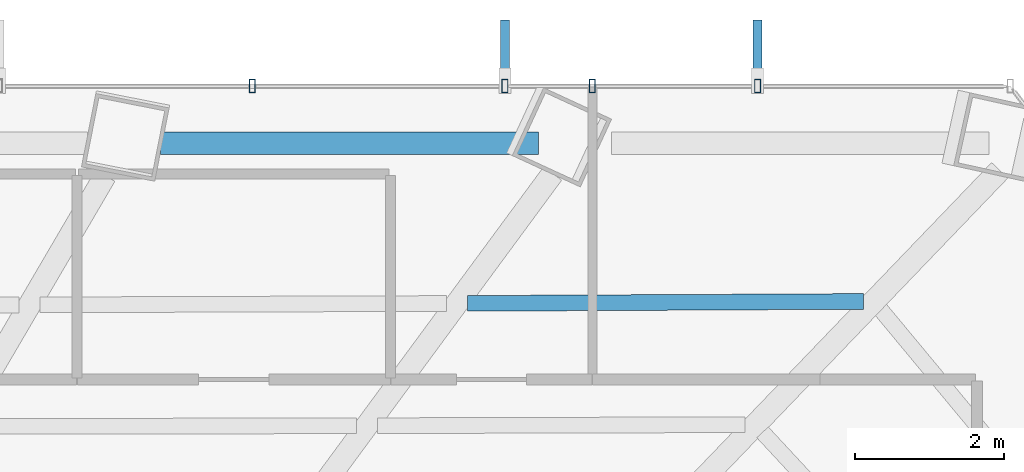
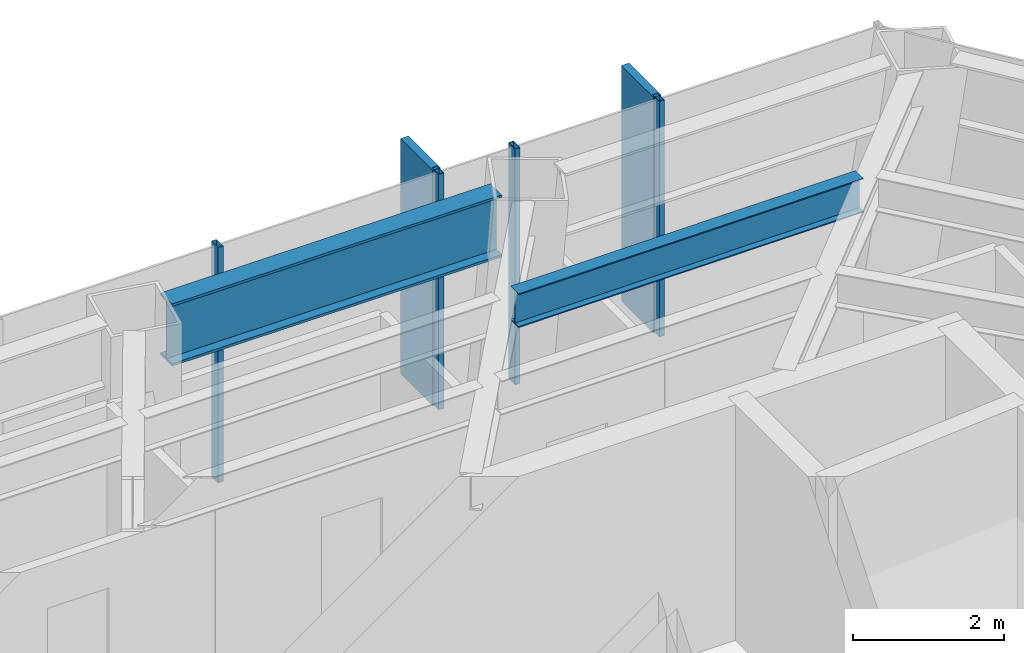
# One storey, part 16 of 26: 6 members, 2 beams, 1 element without a shape of its own.
"""IFC4 building model written with IfcOpenShell, lengths in metres."""

from ifc_helpers import new_model, si_unit, direction, frame, origin, origin_2d, place, context, subcontext, project, spatial, rectangle, hollow_rectangle, i_section, extrude, material, layer, layer_set, material_profile, profile_set, type_object, element, aggregate, save


model = new_model("IFC4")

# Units and contexts
model_context = context("Model", 3, precision=1e-05, world=origin(), true_north=direction((0.0, 1.0)))
body_context = subcontext(model_context, "Body", "Model", "MODEL_VIEW")
ifc_project = project(units=[si_unit("LENGTHUNIT", "METRE"), si_unit("AREAUNIT", "SQUARE_METRE"), si_unit("VOLUMEUNIT", "CUBIC_METRE"), si_unit("PLANEANGLEUNIT", "RADIAN"), si_unit("MASSUNIT", "GRAM", prefix="KILO")], contexts=[model_context])

# Site, building, storey
site_placement = place(None, origin())
site = spatial("IfcSite", under=ifc_project, at=site_placement, CompositionType="ELEMENT")
building_placement = place(site_placement, origin())
building = spatial("IfcBuilding", under=site, at=building_placement, Name="Zarrinselat Tower", CompositionType="ELEMENT")
storey_placement = place(building_placement, frame((0.0, 0.0, 60.179931640625)))
storey = spatial("IfcBuildingStorey", under=building, at=storey_placement, Name="L14", CompositionType="ELEMENT", Elevation=60.179931640625)

# Beams
ifc_material_1 = material(Name="Steel S460M", Category="steel")
ifc_material_profile_1 = material_profile(ifc_material_1, i_section(OverallWidth=0.302001953125, OverallDepth=1.008056640625, WebThickness=0.02099609375, FlangeThickness=0.0400390625, at=origin_2d()), Name="HEM 1000")
ifc_profile_set_1 = profile_set([ifc_material_profile_1], Name="Steel S460M")
beam_type_1 = type_object("IfcBeamType", Name="BM-HEM1000", PredefinedType="BEAM", material=ifc_profile_set_1)
beam_1_placement = place(storey_placement, frame((39.519287109375, 49.1611328125, 3.316162109375), z_axis=(1.0, 0.0, 0.0), x_axis=(0.0, 1.0, 0.0)))
element("IfcBeam", 1, at=beam_1_placement, inside=storey, type_object=beam_type_1, Name="L14 Perimeter Spandrel Girder SP02", PredefinedType="BEAM", context=body_context, shape_type="SweptSolid", body=[
    extrude(i_section(OverallWidth=0.302001953125, OverallDepth=1.008056640625, WebThickness=0.02099609375, FlangeThickness=0.0400390625, at=origin_2d()), origin(), (0.0, 0.0, 1.0), 5.059814453125),
])
ifc_material_2 = material(Name="Steel S355J2", Category="steel")
ifc_material_profile_2 = material_profile(ifc_material_2, i_section(OverallWidth=0.2099609375, OverallDepth=0.550048828125, WebThickness=0.010986328125, FlangeThickness=0.01708984375, at=origin_2d()), Name="IPE 550")
ifc_profile_set_2 = profile_set([ifc_material_profile_2], Name="Steel S355J2")
beam_type_2 = type_object("IfcBeamType", Name="BM-IPE550", PredefinedType="JOIST", material=ifc_profile_set_2)
beam_2_placement = place(storey_placement, frame((43.627685546875, 47.017822265625, 3.545166015625), z_axis=(0.999987637969, 0.004972314222, 0.0), x_axis=(-0.004972314222, 0.999987637969, 0.0)))
element("IfcBeam", 2, at=beam_2_placement, inside=storey, type_object=beam_type_2, Name="L14 Composite Floor Joist 7-1", PredefinedType="JOIST", context=body_context, shape_type="SweptSolid", body=[
    extrude(i_section(OverallWidth=0.2099609375, OverallDepth=0.550048828125, WebThickness=0.010986328125, FlangeThickness=0.01708984375, at=origin_2d()), origin(), (0.0, 0.0, 1.0), 5.302734375),
])

# Curtain wall, members
ifc_material_3 = material(Name="Extruded Aluminium Alloy EN AW-6063 T6", Category="aluminium")
ifc_layer = layer(ifc_material_3, 0.18505859375)
ifc_layer_set = layer_set([ifc_layer], Name="Extruded Aluminium Alloy EN AW-6063 T6")
curtain_wall_type = type_object("IfcCurtainWallType", Name="CWS-OFF", PredefinedType="NOTDEFINED", material=ifc_layer_set)
curtain_wall_placement = place(storey_placement, origin())
curtain_wall = element("IfcCurtainWall", 3, at=curtain_wall_placement, inside=storey, type_object=curtain_wall_type, Name="L14 Unitised Curtain Wall CW-L14-E01", PredefinedType="NOTDEFINED")
ifc_material_4 = material(Name="Extruded Aluminium Alloy EN AW-6063 T6", Category="aluminium")
ifc_material_profile_3 = material_profile(ifc_material_4, hollow_rectangle(XDim=0.080078125, YDim=0.179931640625, WallThickness=0.0048828125, at=origin_2d()), Name="RHS 180x80x5")
ifc_profile_set_3 = profile_set([ifc_material_profile_3], Name="Extruded Aluminium Alloy EN AW-6063 T6")
member_type_1 = type_object("IfcMemberType", Name="MEM-CW-MUL", PredefinedType="MULLION", material=ifc_profile_set_3)
member_1_placement = place(storey_placement, frame((47.513427734375, 49.927734375, 0.0), z_axis=(0.0, 0.0, 1.0), x_axis=(-1.0, 0.0, 0.0)))
member_1 = element("IfcMember", 4, at=member_1_placement, type_object=member_type_1, Name="CW-L14-E01 Mullion 1", PredefinedType="MULLION", context=body_context, shape_type="SweptSolid", body=[
    extrude(hollow_rectangle(XDim=0.080078125, YDim=0.179931640625, WallThickness=0.0048828125, at=origin_2d()), origin(), (0.0, 0.0, 1.0), 3.820068359375),
])
member_2_placement = place(storey_placement, frame((45.300048828125, 49.927734375, 0.0), z_axis=(0.0, 0.0, 1.0), x_axis=(-1.0, 0.0, 0.0)))
member_2 = element("IfcMember", 5, at=member_2_placement, type_object=member_type_1, Name="CW-L14-E01 Mullion 2", PredefinedType="MULLION", context=body_context, shape_type="SweptSolid", body=[
    extrude(hollow_rectangle(XDim=0.080078125, YDim=0.179931640625, WallThickness=0.0048828125, at=origin_2d()), origin(), (0.0, 0.0, 1.0), 3.820068359375),
])
member_3_placement = place(storey_placement, frame((44.1298828125, 49.927734375, 0.0), z_axis=(0.0, 0.0, 1.0), x_axis=(-1.0, 0.0, 0.0)))
member_3 = element("IfcMember", 6, at=member_3_placement, type_object=member_type_1, Name="CW-L14-E01 Mullion 3", PredefinedType="MULLION", context=body_context, shape_type="SweptSolid", body=[
    extrude(hollow_rectangle(XDim=0.080078125, YDim=0.179931640625, WallThickness=0.0048828125, at=origin_2d()), origin(), (0.0, 0.0, 1.0), 3.820068359375),
])
member_4_placement = place(storey_placement, frame((40.74609375, 49.927734375, 0.0), z_axis=(0.0, 0.0, 1.0), x_axis=(-1.0, 0.0, 0.0)))
member_4 = element("IfcMember", 7, at=member_4_placement, type_object=member_type_1, Name="CW-L14-E01 Mullion 4", PredefinedType="MULLION", context=body_context, shape_type="SweptSolid", body=[
    extrude(hollow_rectangle(XDim=0.080078125, YDim=0.179931640625, WallThickness=0.0048828125, at=origin_2d()), origin(), (0.0, 0.0, 1.0), 3.820068359375),
])
ifc_material_5 = material(Name="Honed Cream Travertine Stone", Category="masonry")
ifc_material_profile_4 = material_profile(ifc_material_5, rectangle(XDim=0.1201171875, YDim=0.85009765625, at=origin_2d()), Name="FIN 850x120")
ifc_profile_set_4 = profile_set([ifc_material_profile_4], Name="Honed Cream Travertine Stone")
member_type_2 = type_object("IfcMemberType", Name="MEM-STONE-FIN", PredefinedType="USERDEFINED", material=ifc_profile_set_4)
member_5_placement = place(storey_placement, frame((47.513427734375, 50.3876953125, 0.0), z_axis=(0.0, 0.0, 1.0), x_axis=(1.0, 0.0, 0.0)))
member_5 = element("IfcMember", 8, at=member_5_placement, type_object=member_type_2, Name="L14 Stone Shading Fin CW-L14-E01-01", ObjectType="FIN", PredefinedType="USERDEFINED", context=body_context, shape_type="SweptSolid", body=[
    extrude(rectangle(XDim=0.1201171875, YDim=0.85009765625, at=origin_2d()), origin(), (0.0, 0.0, 1.0), 3.820068359375),
])
member_6_placement = place(storey_placement, frame((44.1298828125, 50.3876953125, 0.0), z_axis=(0.0, 0.0, 1.0), x_axis=(1.0, 0.0, 0.0)))
member_6 = element("IfcMember", 9, at=member_6_placement, type_object=member_type_2, Name="L14 Stone Shading Fin CW-L14-E01-03", ObjectType="FIN", PredefinedType="USERDEFINED", context=body_context, shape_type="SweptSolid", body=[
    extrude(rectangle(XDim=0.1201171875, YDim=0.85009765625, at=origin_2d()), origin(), (0.0, 0.0, 1.0), 3.820068359375),
])
aggregate(curtain_wall, [member_1, member_5, member_2, member_3, member_6, member_4])

save(model, "model.ifc")
